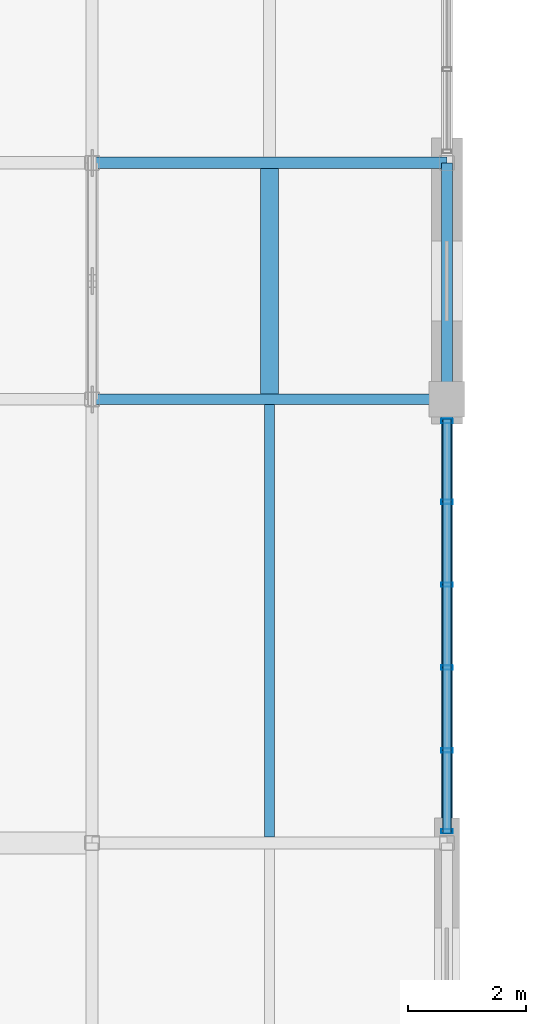
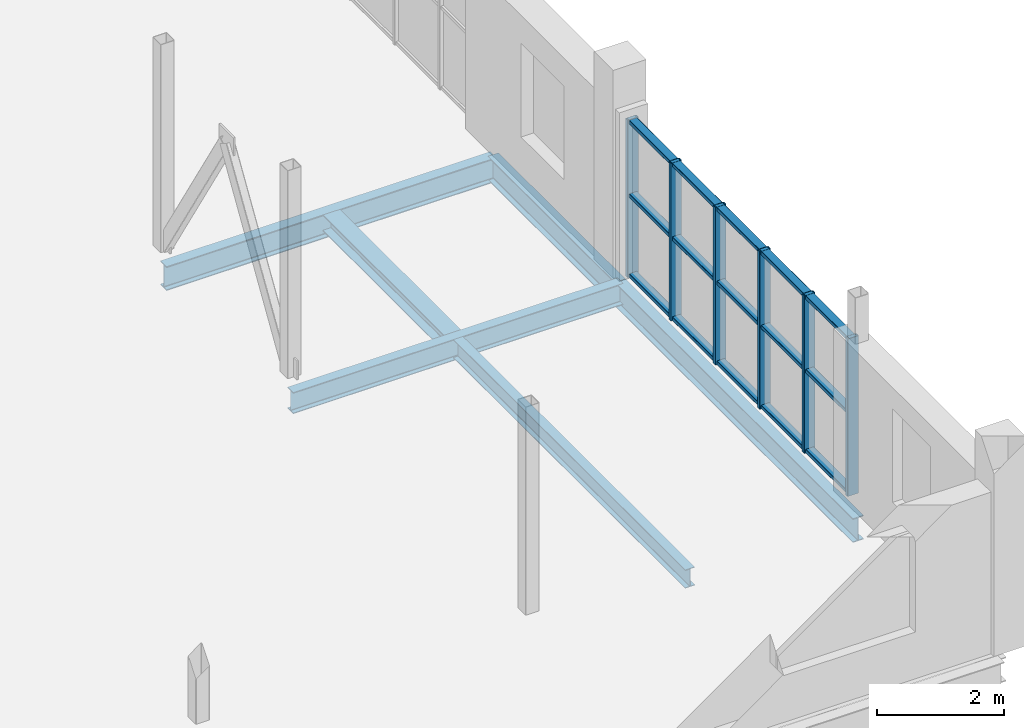
# One storey, part 13 of 35: 9 members, 6 beams, 1 element without a shape of its own.
"""IFC4 building model written with IfcOpenShell, lengths in metres."""

from ifc_helpers import new_model, si_unit, direction, frame, origin, origin_2d, place, context, subcontext, project, spatial, hollow_rectangle, i_section, extrude, material, material_profile, profile_set, type_object, element, aggregate, save


model = new_model("IFC4")

# Units and contexts
model_context = context("Model", 3, precision=1e-05, world=origin(), true_north=direction((0.0, 1.0)))
body_context = subcontext(model_context, "Body", "Model", "MODEL_VIEW")
ifc_project = project(units=[si_unit("LENGTHUNIT", "METRE"), si_unit("AREAUNIT", "SQUARE_METRE"), si_unit("VOLUMEUNIT", "CUBIC_METRE"), si_unit("PLANEANGLEUNIT", "RADIAN"), si_unit("MASSUNIT", "GRAM", prefix="KILO")], contexts=[model_context])

# Site, building, storey
site_placement = place(None, origin())
site = spatial("IfcSite", under=ifc_project, at=site_placement, CompositionType="ELEMENT")
building_placement = place(site_placement, origin())
building = spatial("IfcBuilding", under=site, at=building_placement, Name="Verrall Gate Interchange", CompositionType="ELEMENT")
storey_placement = place(building_placement, frame((0.0, 0.0, 15.39990234375)))
storey = spatial("IfcBuildingStorey", under=building, at=storey_placement, Name="L04", CompositionType="ELEMENT", Elevation=15.39990234375)

# Beams
ifc_material_1 = material(Name="Structural Steel CSA G40.21 350W", Category="steel")
ifc_material_profile_1 = material_profile(ifc_material_1, i_section(OverallWidth=0.19189453125, OverallDepth=0.462890625, WebThickness=0.010498046875, FlangeThickness=0.017578125, FilletRadius=0.012939453125, at=origin_2d()), Name="W460x89")
ifc_profile_set_1 = profile_set([ifc_material_profile_1], Name="Structural Steel CSA G40.21 350W")
beam_type_1 = type_object("IfcBeamType", Name="B-11 Structural Beam W460x89", PredefinedType="BEAM", material=ifc_profile_set_1)
beam_1_placement = place(storey_placement, frame((30.0, 16.0, -0.5615234375), z_axis=(1.0, 0.0, 0.0), x_axis=(0.0, 1.0, 0.0)))
element("IfcBeam", 1, at=beam_1_placement, inside=storey, type_object=beam_type_1, Name="L04 Girder BM-L04-2543 (B-11)", PredefinedType="BEAM", context=body_context, shape_type="SweptSolid", body=[
    extrude(i_section(OverallWidth=0.19189453125, OverallDepth=0.462890625, WebThickness=0.010498046875, FlangeThickness=0.017578125, FilletRadius=0.012939453125, at=origin_2d()), origin(), (0.0, 0.0, 1.0), 6.0),
])
beam_2_placement = place(storey_placement, frame((36.0, 4.5, -0.5615234375), z_axis=(0.0, 1.0, 0.0), x_axis=(-1.0, 0.0, 0.0)))
element("IfcBeam", 2, at=beam_2_placement, inside=storey, type_object=beam_type_1, Name="L04 Girder BM-L04-2711 (B-11)", PredefinedType="BEAM", context=body_context, shape_type="SweptSolid", body=[
    extrude(i_section(OverallWidth=0.19189453125, OverallDepth=0.462890625, WebThickness=0.010498046875, FlangeThickness=0.017578125, FilletRadius=0.012939453125, at=origin_2d()), origin(), (0.0, 0.0, 1.0), 7.5),
])
beam_3_placement = place(storey_placement, frame((36.0, 12.0, -0.5615234375), z_axis=(0.0, 1.0, 0.0), x_axis=(-1.0, 0.0, 0.0)))
element("IfcBeam", 3, at=beam_3_placement, inside=storey, type_object=beam_type_1, Name="L04 Girder BM-L04-2712 (B-11)", PredefinedType="BEAM", context=body_context, shape_type="SweptSolid", body=[
    extrude(i_section(OverallWidth=0.19189453125, OverallDepth=0.462890625, WebThickness=0.010498046875, FlangeThickness=0.017578125, FilletRadius=0.012939453125, at=origin_2d()), origin(), (0.0, 0.0, 1.0), 4.0),
])
ifc_material_2 = material(Name="Structural Steel CSA G40.21 350W", Category="steel")
ifc_material_profile_2 = material_profile(ifc_material_2, i_section(OverallWidth=0.178955078125, OverallDepth=0.409912109375, WebThickness=0.0087890625, FlangeThickness=0.014404296875, FilletRadius=0.011962890625, at=origin_2d()), Name="W410x67")
ifc_profile_set_2 = profile_set([ifc_material_profile_2], Name="Structural Steel CSA G40.21 350W")
beam_type_2 = type_object("IfcBeamType", Name="B-12 Structural Beam W410x67", PredefinedType="BEAM", material=ifc_profile_set_2)
beam_4_placement = place(storey_placement, frame((30.0, 12.0, -0.534912109375), z_axis=(1.0, 0.0, 0.0), x_axis=(0.0, 1.0, 0.0)))
element("IfcBeam", 4, at=beam_4_placement, inside=storey, type_object=beam_type_2, Name="L04 Girder BM-L04-2533 (B-12)", PredefinedType="BEAM", context=body_context, shape_type="SweptSolid", body=[
    extrude(i_section(OverallWidth=0.178955078125, OverallDepth=0.409912109375, WebThickness=0.0087890625, FlangeThickness=0.014404296875, FilletRadius=0.011962890625, at=origin_2d()), origin(), (0.0, 0.0, 1.0), 6.0),
])

# Curtain wall, members
ifc_material_3 = material(Name="Thermally Broken Anodized Aluminium Curtain Wall Framing", Category="aluminium")
curtain_wall_type = type_object("IfcCurtainWallType", Name="CW-40 Unitized Curtain Wall 7009x3030", PredefinedType="NOTDEFINED", material=ifc_material_3)
curtain_wall_placement = place(storey_placement, origin())
curtain_wall = element("IfcCurtainWall", 5, at=curtain_wall_placement, inside=storey, type_object=curtain_wall_type, Name="L04 Unitized Curtain Wall CW-L04-127", PredefinedType="NOTDEFINED")
ifc_material_4 = material(Name="Thermally Broken Anodized Aluminium Curtain Wall Framing", Category="aluminium")
ifc_material_profile_3 = material_profile(ifc_material_4, hollow_rectangle(XDim=0.074951171875, YDim=0.199951171875, WallThickness=0.0048828125, InnerFilletRadius=0.0048828125, OuterFilletRadius=0.010009765625, at=origin_2d()), Name="CWM200x75x5")
ifc_profile_set_3 = profile_set([ifc_material_profile_3], Name="Thermally Broken Anodized Aluminium Curtain Wall Framing")
member_type_1 = type_object("IfcMemberType", Name="CM-02 Curtain Mullion CWM200x75x5", PredefinedType="MULLION", material=ifc_profile_set_3)
member_1_placement = place(storey_placement, frame((36.0, 4.696533203125, 0.0), z_axis=(0.0, 0.0, 1.0), x_axis=(0.0, 1.0, 0.0)))
member_1 = element("IfcMember", 6, at=member_1_placement, type_object=member_type_1, Name="CW-L04-127 Mullion 1", PredefinedType="MULLION", context=body_context, shape_type="SweptSolid", body=[
    extrude(hollow_rectangle(XDim=0.074951171875, YDim=0.199951171875, WallThickness=0.0048828125, InnerFilletRadius=0.0048828125, OuterFilletRadius=0.010009765625, at=origin_2d()), origin(), (0.0, 0.0, 1.0), 3.030029296875),
])
member_2_placement = place(storey_placement, frame((36.0, 6.060791015625, 0.0), z_axis=(0.0, 0.0, 1.0), x_axis=(0.0, 1.0, 0.0)))
member_2 = element("IfcMember", 7, at=member_2_placement, type_object=member_type_1, Name="CW-L04-127 Mullion 2", PredefinedType="MULLION", context=body_context, shape_type="SweptSolid", body=[
    extrude(hollow_rectangle(XDim=0.074951171875, YDim=0.199951171875, WallThickness=0.0048828125, InnerFilletRadius=0.0048828125, OuterFilletRadius=0.010009765625, at=origin_2d()), origin(), (0.0, 0.0, 1.0), 3.030029296875),
])
member_3_placement = place(storey_placement, frame((36.0, 7.462646484375, 0.0), z_axis=(0.0, 0.0, 1.0), x_axis=(0.0, 1.0, 0.0)))
member_3 = element("IfcMember", 8, at=member_3_placement, type_object=member_type_1, Name="CW-L04-127 Mullion 3", PredefinedType="MULLION", context=body_context, shape_type="SweptSolid", body=[
    extrude(hollow_rectangle(XDim=0.074951171875, YDim=0.199951171875, WallThickness=0.0048828125, InnerFilletRadius=0.0048828125, OuterFilletRadius=0.010009765625, at=origin_2d()), origin(), (0.0, 0.0, 1.0), 3.030029296875),
])
member_4_placement = place(storey_placement, frame((36.0, 8.864501953125, 0.0), z_axis=(0.0, 0.0, 1.0), x_axis=(0.0, 1.0, 0.0)))
member_4 = element("IfcMember", 9, at=member_4_placement, type_object=member_type_1, Name="CW-L04-127 Mullion 4", PredefinedType="MULLION", context=body_context, shape_type="SweptSolid", body=[
    extrude(hollow_rectangle(XDim=0.074951171875, YDim=0.199951171875, WallThickness=0.0048828125, InnerFilletRadius=0.0048828125, OuterFilletRadius=0.010009765625, at=origin_2d()), origin(), (0.0, 0.0, 1.0), 3.030029296875),
])
member_5_placement = place(storey_placement, frame((36.0, 10.26611328125, 0.0), z_axis=(0.0, 0.0, 1.0), x_axis=(0.0, 1.0, 0.0)))
member_5 = element("IfcMember", 10, at=member_5_placement, type_object=member_type_1, Name="CW-L04-127 Mullion 5", PredefinedType="MULLION", context=body_context, shape_type="SweptSolid", body=[
    extrude(hollow_rectangle(XDim=0.074951171875, YDim=0.199951171875, WallThickness=0.0048828125, InnerFilletRadius=0.0048828125, OuterFilletRadius=0.010009765625, at=origin_2d()), origin(), (0.0, 0.0, 1.0), 3.030029296875),
])
member_6_placement = place(storey_placement, frame((36.0, 11.630615234375, 0.0), z_axis=(0.0, 0.0, 1.0), x_axis=(0.0, 1.0, 0.0)))
member_6 = element("IfcMember", 11, at=member_6_placement, type_object=member_type_1, Name="CW-L04-127 Mullion 6", PredefinedType="MULLION", context=body_context, shape_type="SweptSolid", body=[
    extrude(hollow_rectangle(XDim=0.074951171875, YDim=0.199951171875, WallThickness=0.0048828125, InnerFilletRadius=0.0048828125, OuterFilletRadius=0.010009765625, at=origin_2d()), origin(), (0.0, 0.0, 1.0), 3.030029296875),
])
ifc_material_5 = material(Name="Thermally Broken Anodized Aluminium Curtain Wall Framing", Category="aluminium")
ifc_material_profile_4 = material_profile(ifc_material_5, hollow_rectangle(XDim=0.14990234375, YDim=0.074951171875, WallThickness=0.00439453125, InnerFilletRadius=0.00439453125, OuterFilletRadius=0.009033203125, at=origin_2d()), Name="CWT150x75x4.5")
ifc_profile_set_4 = profile_set([ifc_material_profile_4], Name="Thermally Broken Anodized Aluminium Curtain Wall Framing")
member_type_2 = type_object("IfcMemberType", Name="CT-02 Curtain Transom CWT150x75x4.5", PredefinedType="USERDEFINED", material=ifc_profile_set_4)
member_7_placement = place(storey_placement, frame((36.0, 4.658935546875, 0.03759765625), z_axis=(0.0, 1.0, 0.0), x_axis=(-1.0, 0.0, 0.0)))
member_7 = element("IfcMember", 12, at=member_7_placement, type_object=member_type_2, Name="CW-L04-127 Transom 1", ObjectType="TRANSOM", PredefinedType="USERDEFINED", context=body_context, shape_type="SweptSolid", body=[
    extrude(hollow_rectangle(XDim=0.14990234375, YDim=0.074951171875, WallThickness=0.00439453125, InnerFilletRadius=0.00439453125, OuterFilletRadius=0.009033203125, at=origin_2d()), origin(), (0.0, 0.0, 1.0), 7.009033203125),
])
member_8_placement = place(storey_placement, frame((36.0, 4.658935546875, 1.57568359375), z_axis=(0.0, 1.0, 0.0), x_axis=(-1.0, 0.0, 0.0)))
member_8 = element("IfcMember", 13, at=member_8_placement, type_object=member_type_2, Name="CW-L04-127 Transom 2", ObjectType="TRANSOM", PredefinedType="USERDEFINED", context=body_context, shape_type="SweptSolid", body=[
    extrude(hollow_rectangle(XDim=0.14990234375, YDim=0.074951171875, WallThickness=0.00439453125, InnerFilletRadius=0.00439453125, OuterFilletRadius=0.009033203125, at=origin_2d()), origin(), (0.0, 0.0, 1.0), 7.009033203125),
])
member_9_placement = place(storey_placement, frame((36.0, 4.658935546875, 2.99267578125), z_axis=(0.0, 1.0, 0.0), x_axis=(-1.0, 0.0, 0.0)))
member_9 = element("IfcMember", 14, at=member_9_placement, type_object=member_type_2, Name="CW-L04-127 Transom 3", ObjectType="TRANSOM", PredefinedType="USERDEFINED", context=body_context, shape_type="SweptSolid", body=[
    extrude(hollow_rectangle(XDim=0.14990234375, YDim=0.074951171875, WallThickness=0.00439453125, InnerFilletRadius=0.00439453125, OuterFilletRadius=0.009033203125, at=origin_2d()), origin(), (0.0, 0.0, 1.0), 7.009033203125),
])
aggregate(curtain_wall, [member_1, member_2, member_3, member_4, member_5, member_6, member_7, member_8, member_9])

# Beams
ifc_material_6 = material(Name="Structural Steel CSA G40.21 350W", Category="steel")
ifc_material_profile_5 = material_profile(ifc_material_6, i_section(OverallWidth=0.172119140625, OverallDepth=0.35791015625, WebThickness=0.0078125, FlangeThickness=0.01318359375, FilletRadius=0.010986328125, at=origin_2d()), Name="W360x57")
ifc_profile_set_5 = profile_set([ifc_material_profile_5], Name="Structural Steel CSA G40.21 350W")
beam_type_3 = type_object("IfcBeamType", Name="J-01 Floor Joist W360x57", PredefinedType="JOIST", material=ifc_profile_set_5)
beam_5_placement = place(storey_placement, frame((33.0, 4.6025390625, -0.5087890625), z_axis=(0.0, 1.0, 0.0), x_axis=(-1.0, 0.0, 0.0)))
element("IfcBeam", 15, at=beam_5_placement, inside=storey, type_object=beam_type_3, Name="L04 Secondary Floor Joist JST-L04-2774", PredefinedType="JOIST", context=body_context, shape_type="SweptSolid", body=[
    extrude(i_section(OverallWidth=0.172119140625, OverallDepth=0.35791015625, WebThickness=0.0078125, FlangeThickness=0.01318359375, FilletRadius=0.010986328125, at=origin_2d()), origin(), (0.0, 0.0, 1.0), 7.307861328125),
])
ifc_material_7 = material(Name="Structural Steel CSA G40.21 350W", Category="steel")
ifc_material_profile_6 = material_profile(ifc_material_7, i_section(OverallWidth=0.306884765625, OverallDepth=0.31396484375, WebThickness=0.011962890625, FlangeThickness=0.018798828125, FilletRadius=0.013916015625, at=origin_2d()), Name="W310x118")
ifc_profile_set_6 = profile_set([ifc_material_profile_6], Name="Structural Steel CSA G40.21 350W")
beam_type_4 = type_object("IfcBeamType", Name="J-02 Floor Joist W310x118", PredefinedType="JOIST", material=ifc_profile_set_6)
beam_6_placement = place(storey_placement, frame((33.0, 12.089599609375, -0.48681640625), z_axis=(0.0, 1.0, 0.0), x_axis=(-1.0, 0.0, 0.0)))
element("IfcBeam", 16, at=beam_6_placement, inside=storey, type_object=beam_type_4, Name="L04 Secondary Floor Joist JST-L04-2778", PredefinedType="JOIST", context=body_context, shape_type="SweptSolid", body=[
    extrude(i_section(OverallWidth=0.306884765625, OverallDepth=0.31396484375, WebThickness=0.011962890625, FlangeThickness=0.018798828125, FilletRadius=0.013916015625, at=origin_2d()), origin(), (0.0, 0.0, 1.0), 3.814453125),
])

save(model, "model.ifc")
